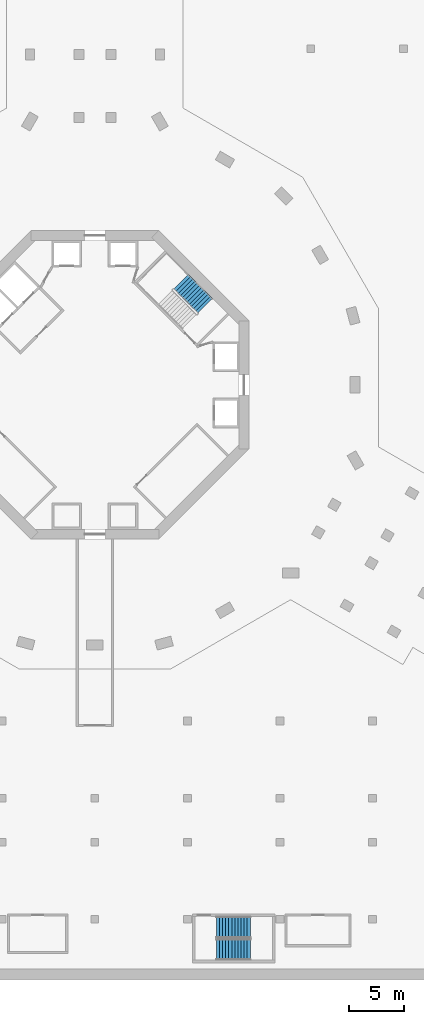
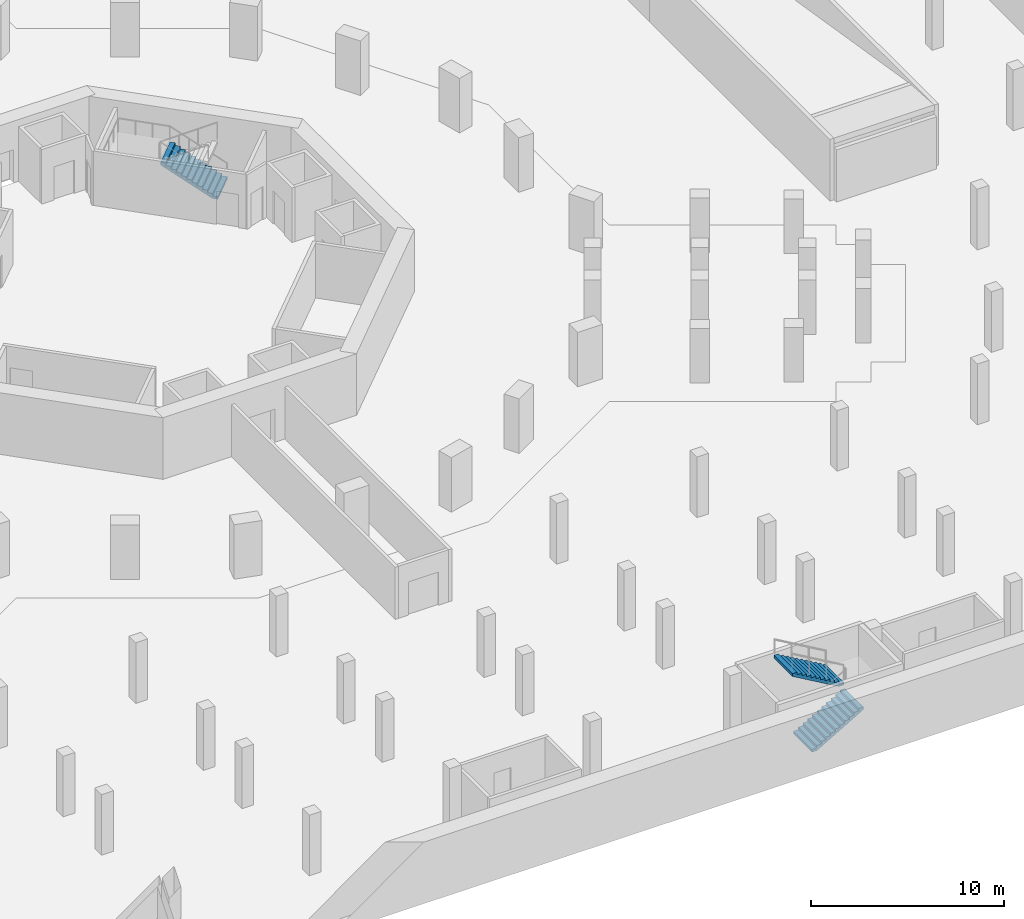
# One storey, part 14 of 25: 3 stair flights, 2 elements without a shape of their own.
"""IFC4 building model written with IfcOpenShell, lengths in metres."""

from ifc_helpers import new_model, si_unit, direction, frame, origin, place, context, subcontext, project, spatial, triangles, material, type_object, element, aggregate, save


model = new_model("IFC4")

# Units and contexts
model_context = context("Model", 3, precision=1e-05, world=origin(), true_north=direction((0.0, 1.0)))
body_context = subcontext(model_context, "Body", "Model", "MODEL_VIEW")
ifc_project = project(units=[si_unit("LENGTHUNIT", "METRE"), si_unit("AREAUNIT", "SQUARE_METRE"), si_unit("VOLUMEUNIT", "CUBIC_METRE"), si_unit("PLANEANGLEUNIT", "RADIAN"), si_unit("MASSUNIT", "GRAM", prefix="KILO")], contexts=[model_context])

# Site, building, storey
site_placement = place(None, origin())
site = spatial("IfcSite", under=ifc_project, at=site_placement, CompositionType="ELEMENT")
building_placement = place(site_placement, origin())
building = spatial("IfcBuilding", under=site, at=building_placement, Name="Verdalira Terraces Hotel", CompositionType="ELEMENT")
storey_placement = place(building_placement, frame((0.0, 0.0, -3.899902)))
storey = spatial("IfcBuildingStorey", under=building, at=storey_placement, Name="B1", CompositionType="ELEMENT", Elevation=-3.89990234375)

# Stair, stair flights
ifc_material_1 = material(Name="Concrete C40", Category="concrete")
stair_type_1 = type_object("IfcStairType", Name="Car park stair 24 risers", PredefinedType="HALF_TURN_STAIR", material=ifc_material_1)
stair_1_placement = place(storey_placement, origin())
stair_1 = element("IfcStair", 1, at=stair_1_placement, inside=storey, type_object=stair_type_1, Name="B1 Exit stair Basement stair 6", PredefinedType="HALF_TURN_STAIR")
ifc_material_2 = material(Name="Concrete C40", Category="concrete")
stair_flight_type_1 = type_object("IfcStairFlightType", Name="Car park stair flight 24 risers", PredefinedType="STRAIGHT", material=ifc_material_2)
stair_flight_1_placement = place(storey_placement, frame((11.024902, -51.237549, 0.0), z_axis=(0.0, 0.0, 1.0), x_axis=(1.0, 0.0, 0.0)))
stair_flight_1 = element("IfcStairFlight", 2, at=stair_flight_1_placement, type_object=stair_flight_type_1, Name="Basement stair 6 flight 1", NumberOfRisers=12, NumberOfTreads=11, PredefinedType="STRAIGHT", RiserHeight=0.1625, TreadLength=0.28, context=body_context, shape_type="Tessellation", body=[
    triangles([(0.0, 0.962524, 0.0), (0.298584, 0.962524, 0.0), (3.080078, 0.962524, 1.614258), (0.0, -0.962524, 0.0), (0.298584, -0.962524, 0.0), (3.080078, -0.962524, 1.614258), (3.080078, 0.962524, 1.787598), (2.800049, 0.962524, 1.787598), (3.080078, -0.962524, 1.787598), (2.800049, -0.962524, 1.787598), (2.800049, 0.962524, 1.625), (2.800049, -0.962524, 1.625), (2.52002, 0.962524, 1.625), (2.52002, -0.962524, 1.625), (2.52002, 0.962524, 1.462402), (2.52002, -0.962524, 1.462402), (2.23999, 0.962524, 1.462402), (2.23999, 0.962524, 1.300049), (2.23999, -0.962524, 1.462402), (2.23999, -0.962524, 1.300049), (1.959961, 0.962524, 1.300049), (1.959961, 0.962524, 1.137451), (1.959961, -0.962524, 1.300049), (1.959961, -0.962524, 1.137451), (1.679932, 0.962524, 1.137451), (1.679932, 0.962524, 0.975098), (1.679932, -0.962524, 1.137451), (1.679932, -0.962524, 0.975098), (1.399902, 0.962524, 0.975098), (1.399902, 0.962524, 0.8125), (1.399902, -0.962524, 0.975098), (1.399902, -0.962524, 0.8125), (1.120117, 0.962524, 0.8125), (1.120117, 0.962524, 0.649902), (1.120117, -0.962524, 0.8125), (1.120117, -0.962524, 0.649902), (0.840088, 0.962524, 0.649902), (0.840088, 0.962524, 0.487549), (0.840088, -0.962524, 0.649902), (0.840088, -0.962524, 0.487549), (0.560059, 0.962524, 0.487549), (0.560059, 0.962524, 0.324951), (0.560059, -0.962524, 0.487549), (0.560059, -0.962524, 0.324951), (0.280029, 0.962524, 0.324951), (0.280029, 0.962524, 0.162598), (0.280029, -0.962524, 0.324951), (0.280029, -0.962524, 0.162598), (0.0, 0.962524, 0.162598), (0.0, -0.962524, 0.162598), (0.0, -0.902367, 0.0), (0.0, -0.902367, 0.162598), (0.0, -0.842209, 0.0), (0.0, -0.842209, 0.162598), (0.0, -0.782051, 0.0), (0.0, -0.782051, 0.162598), (0.0, -0.721893, 0.0), (0.0, -0.721893, 0.162598), (0.0, -0.661736, 0.0), (0.0, -0.661736, 0.162598), (0.0, -0.601578, 0.0), (0.0, -0.601578, 0.162598), (0.0, -0.54142, 0.0), (0.0, -0.54142, 0.162598), (0.0, -0.481262, 0.0), (0.0, -0.481262, 0.162598), (0.0, -0.421104, 0.0), (0.0, -0.421104, 0.162598), (0.0, -0.360947, 0.0), (0.0, -0.360947, 0.162598), (0.0, -0.300789, 0.0), (0.0, -0.300789, 0.162598), (0.0, -0.240631, 0.0), (0.0, -0.240631, 0.162598), (0.0, -0.180473, 0.0), (0.0, -0.180473, 0.162598), (0.0, -0.120316, 0.0), (0.0, -0.120316, 0.162598), (0.0, -0.060158, 0.0), (0.0, -0.060158, 0.162598), (0.0, 0.0, 0.0), (0.0, 0.0, 0.162598), (0.0, 0.060158, 0.0), (0.0, 0.060158, 0.162598), (0.0, 0.120316, 0.0), (0.0, 0.120316, 0.162598), (0.0, 0.180473, 0.0), (0.0, 0.180473, 0.162598), (0.0, 0.240631, 0.0), (0.0, 0.240631, 0.162598), (0.0, 0.300789, 0.0), (0.0, 0.300789, 0.162598), (0.0, 0.360947, 0.0), (0.0, 0.360947, 0.162598), (0.0, 0.421104, 0.0), (0.0, 0.421104, 0.162598), (0.0, 0.481262, 0.0), (0.0, 0.481262, 0.162598), (0.0, 0.54142, 0.0), (0.0, 0.54142, 0.162598), (0.0, 0.601578, 0.0), (0.0, 0.601578, 0.162598), (0.0, 0.661736, 0.0), (0.0, 0.661736, 0.162598), (0.0, 0.721893, 0.0), (0.0, 0.721893, 0.162598), (0.0, 0.782051, 0.0), (0.0, 0.782051, 0.162598), (0.0, 0.842209, 0.0), (0.0, 0.842209, 0.162598), (0.0, 0.902367, 0.0), (0.0, 0.902367, 0.162598), (3.080078, -0.902367, 1.787598), (3.080078, -0.842209, 1.787598), (3.080078, -0.782051, 1.787598), (3.080078, -0.721893, 1.787598), (3.080078, -0.661736, 1.787598), (3.080078, -0.601578, 1.787598), (3.080078, -0.54142, 1.787598), (3.080078, -0.481262, 1.787598), (3.080078, -0.421104, 1.787598), (3.080078, -0.360947, 1.787598), (3.080078, -0.300789, 1.787598), (3.080078, -0.240631, 1.787598), (3.080078, -0.180473, 1.787598), (3.080078, -0.120316, 1.787598), (3.080078, -0.060158, 1.787598), (3.080078, 0.0, 1.787598), (3.080078, 0.060158, 1.787598), (3.080078, 0.120316, 1.787598), (3.080078, 0.180473, 1.787598), (3.080078, 0.240631, 1.787598), (3.080078, 0.300789, 1.787598), (3.080078, 0.360947, 1.787598), (3.080078, 0.421104, 1.787598), (3.080078, 0.481262, 1.787598), (3.080078, 0.54142, 1.787598), (3.080078, 0.601578, 1.787598), (3.080078, 0.661736, 1.787598), (3.080078, 0.721893, 1.787598), (3.080078, 0.782051, 1.787598), (3.080078, 0.842209, 1.787598), (3.080078, 0.902367, 1.787598), (3.080078, -0.902367, 1.614258), (3.080078, -0.842209, 1.614258), (3.080078, -0.782051, 1.614258), (3.080078, -0.721893, 1.614258), (3.080078, -0.661736, 1.614258), (3.080078, -0.601578, 1.614258), (3.080078, -0.54142, 1.614258), (3.080078, -0.481262, 1.614258), (3.080078, -0.421104, 1.614258), (3.080078, -0.360947, 1.614258), (3.080078, -0.300789, 1.614258), (3.080078, -0.240631, 1.614258), (3.080078, -0.180473, 1.614258), (3.080078, -0.120316, 1.614258), (3.080078, -0.060158, 1.614258), (3.080078, 0.0, 1.614258), (3.080078, 0.060158, 1.614258), (3.080078, 0.120316, 1.614258), (3.080078, 0.180473, 1.614258), (3.080078, 0.240631, 1.614258), (3.080078, 0.300789, 1.614258), (3.080078, 0.360947, 1.614258), (3.080078, 0.421104, 1.614258), (3.080078, 0.481262, 1.614258), (3.080078, 0.54142, 1.614258), (3.080078, 0.601578, 1.614258), (3.080078, 0.661736, 1.614258), (3.080078, 0.721893, 1.614258), (3.080078, 0.782051, 1.614258), (3.080078, 0.842209, 1.614258), (3.080078, 0.902367, 1.614258)], [[1, 3, 2], [4, 5, 6], [3, 8, 7], [6, 9, 10], [3, 11, 8], [6, 10, 12], [3, 13, 11], [6, 12, 14], [3, 15, 13], [6, 14, 16], [15, 18, 17], [16, 19, 20], [3, 18, 15], [6, 16, 20], [18, 22, 21], [20, 23, 24], [3, 22, 18], [6, 20, 24], [22, 26, 25], [24, 27, 28], [3, 26, 22], [6, 24, 28], [26, 30, 29], [28, 31, 32], [3, 30, 26], [6, 28, 32], [30, 34, 33], [32, 35, 36], [3, 34, 30], [6, 32, 36], [34, 38, 37], [36, 39, 40], [3, 38, 34], [6, 36, 40], [38, 42, 41], [40, 43, 44], [3, 42, 38], [6, 40, 44], [1, 42, 3], [4, 6, 44], [42, 46, 45], [44, 47, 48], [1, 46, 42], [4, 44, 48], [46, 1, 49], [48, 50, 4], [4, 52, 51], [4, 50, 52], [51, 54, 53], [51, 52, 54], [53, 56, 55], [53, 54, 56], [55, 58, 57], [55, 56, 58], [57, 60, 59], [57, 58, 60], [59, 62, 61], [59, 60, 62], [61, 64, 63], [61, 62, 64], [63, 66, 65], [63, 64, 66], [65, 68, 67], [65, 66, 68], [67, 70, 69], [67, 68, 70], [69, 72, 71], [69, 70, 72], [71, 74, 73], [71, 72, 74], [73, 76, 75], [73, 74, 76], [75, 78, 77], [75, 76, 78], [77, 80, 79], [77, 78, 80], [79, 82, 81], [79, 80, 82], [81, 84, 83], [81, 82, 84], [83, 86, 85], [83, 84, 86], [85, 88, 87], [85, 86, 88], [87, 90, 89], [87, 88, 90], [89, 92, 91], [89, 90, 92], [91, 94, 93], [91, 92, 94], [93, 96, 95], [93, 94, 96], [95, 98, 97], [95, 96, 98], [97, 100, 99], [97, 98, 100], [99, 102, 101], [99, 100, 102], [101, 104, 103], [101, 102, 104], [103, 106, 105], [103, 104, 106], [105, 108, 107], [105, 106, 108], [107, 110, 109], [107, 108, 110], [109, 112, 111], [109, 110, 112], [111, 49, 1], [111, 112, 49], [50, 48, 52], [52, 48, 54], [54, 48, 56], [56, 48, 58], [58, 48, 60], [60, 48, 62], [62, 48, 64], [64, 48, 66], [66, 48, 68], [68, 48, 70], [70, 48, 72], [72, 48, 74], [74, 48, 76], [76, 48, 78], [78, 48, 80], [80, 48, 82], [82, 48, 84], [84, 48, 86], [86, 48, 88], [88, 48, 90], [90, 48, 92], [92, 48, 94], [94, 48, 96], [96, 48, 98], [98, 48, 100], [100, 48, 102], [102, 48, 104], [104, 48, 106], [106, 48, 108], [108, 48, 110], [110, 48, 112], [112, 48, 49], [49, 48, 46], [48, 45, 46], [48, 47, 45], [47, 42, 45], [47, 44, 42], [44, 41, 42], [44, 43, 41], [43, 38, 41], [43, 40, 38], [40, 37, 38], [40, 39, 37], [39, 34, 37], [39, 36, 34], [36, 33, 34], [36, 35, 33], [35, 30, 33], [35, 32, 30], [32, 29, 30], [32, 31, 29], [31, 26, 29], [31, 28, 26], [28, 25, 26], [28, 27, 25], [27, 22, 25], [27, 24, 22], [24, 21, 22], [24, 23, 21], [23, 18, 21], [23, 20, 18], [20, 17, 18], [20, 19, 17], [19, 15, 17], [19, 16, 15], [16, 13, 15], [16, 14, 13], [14, 11, 13], [14, 12, 11], [12, 8, 11], [12, 10, 8], [9, 113, 10], [113, 114, 10], [114, 115, 10], [115, 116, 10], [116, 117, 10], [117, 118, 10], [118, 119, 10], [119, 120, 10], [120, 121, 10], [121, 122, 10], [122, 123, 10], [123, 124, 10], [124, 125, 10], [125, 126, 10], [126, 127, 10], [127, 128, 10], [128, 129, 10], [129, 130, 10], [130, 131, 10], [131, 132, 10], [132, 133, 10], [133, 134, 10], [134, 135, 10], [135, 136, 10], [136, 137, 10], [137, 138, 10], [138, 139, 10], [139, 140, 10], [140, 141, 10], [141, 142, 10], [142, 143, 10], [143, 7, 10], [7, 8, 10], [9, 144, 113], [9, 6, 144], [113, 145, 114], [113, 144, 145], [114, 146, 115], [114, 145, 146], [115, 147, 116], [115, 146, 147], [116, 148, 117], [116, 147, 148], [117, 149, 118], [117, 148, 149], [118, 150, 119], [118, 149, 150], [119, 151, 120], [119, 150, 151], [120, 152, 121], [120, 151, 152], [121, 153, 122], [121, 152, 153], [122, 154, 123], [122, 153, 154], [123, 155, 124], [123, 154, 155], [124, 156, 125], [124, 155, 156], [125, 157, 126], [125, 156, 157], [126, 158, 127], [126, 157, 158], [127, 159, 128], [127, 158, 159], [128, 160, 129], [128, 159, 160], [129, 161, 130], [129, 160, 161], [130, 162, 131], [130, 161, 162], [131, 163, 132], [131, 162, 163], [132, 164, 133], [132, 163, 164], [133, 165, 134], [133, 164, 165], [134, 166, 135], [134, 165, 166], [135, 167, 136], [135, 166, 167], [136, 168, 137], [136, 167, 168], [137, 169, 138], [137, 168, 169], [138, 170, 139], [138, 169, 170], [139, 171, 140], [139, 170, 171], [140, 172, 141], [140, 171, 172], [141, 173, 142], [141, 172, 173], [142, 174, 143], [142, 173, 174], [143, 3, 7], [143, 174, 3], [6, 5, 144], [144, 5, 145], [145, 5, 146], [146, 5, 147], [147, 5, 148], [148, 5, 149], [149, 5, 150], [150, 5, 151], [151, 5, 152], [152, 5, 153], [153, 5, 154], [154, 5, 155], [155, 5, 156], [156, 5, 157], [157, 5, 158], [158, 5, 159], [159, 5, 160], [160, 5, 161], [161, 5, 162], [162, 5, 163], [163, 5, 164], [164, 5, 165], [165, 5, 166], [166, 5, 167], [167, 5, 168], [168, 5, 169], [169, 5, 170], [170, 5, 171], [171, 5, 172], [172, 5, 173], [173, 5, 174], [174, 5, 3], [3, 5, 2], [4, 51, 5], [51, 53, 5], [53, 55, 5], [55, 57, 5], [57, 59, 5], [59, 61, 5], [61, 63, 5], [63, 65, 5], [65, 67, 5], [67, 69, 5], [69, 71, 5], [71, 73, 5], [73, 75, 5], [75, 77, 5], [77, 79, 5], [79, 81, 5], [81, 83, 5], [83, 85, 5], [85, 87, 5], [87, 89, 5], [89, 91, 5], [91, 93, 5], [93, 95, 5], [95, 97, 5], [97, 99, 5], [99, 101, 5], [101, 103, 5], [103, 105, 5], [105, 107, 5], [107, 109, 5], [109, 111, 5], [111, 1, 5], [1, 2, 5]], closed=True),
])
stair_flight_2_placement = place(storey_placement, frame((14.10498, -49.212402, 1.949951), z_axis=(0.0, 0.0, 1.0), x_axis=(-1.0, 0.0, 0.0)))
stair_flight_2 = element("IfcStairFlight", 3, at=stair_flight_2_placement, type_object=stair_flight_type_1, Name="Basement stair 6 flight 2", NumberOfRisers=12, NumberOfTreads=11, PredefinedType="STRAIGHT", RiserHeight=0.1625, TreadLength=0.28, context=body_context, shape_type="Tessellation", body=[
    triangles([(0.0, 0.962524, 0.0), (0.298584, 0.962524, 0.0), (3.080078, 0.962524, 1.614258), (0.0, -0.962524, 0.0), (0.298584, -0.962524, 0.0), (3.080078, -0.962524, 1.614258), (3.080078, 0.962524, 1.787598), (2.800049, 0.962524, 1.787598), (3.080078, -0.962524, 1.787598), (2.800049, -0.962524, 1.787598), (2.800049, 0.962524, 1.625), (2.800049, -0.962524, 1.625), (2.52002, 0.962524, 1.625), (2.52002, -0.962524, 1.625), (2.52002, 0.962524, 1.462402), (2.52002, -0.962524, 1.462402), (2.23999, 0.962524, 1.462402), (2.23999, 0.962524, 1.300049), (2.23999, -0.962524, 1.462402), (2.23999, -0.962524, 1.300049), (1.959961, 0.962524, 1.300049), (1.959961, 0.962524, 1.137451), (1.959961, -0.962524, 1.300049), (1.959961, -0.962524, 1.137451), (1.679932, 0.962524, 1.137451), (1.679932, 0.962524, 0.975098), (1.679932, -0.962524, 1.137451), (1.679932, -0.962524, 0.975098), (1.399902, 0.962524, 0.975098), (1.399902, 0.962524, 0.8125), (1.399902, -0.962524, 0.975098), (1.399902, -0.962524, 0.8125), (1.120117, 0.962524, 0.8125), (1.120117, 0.962524, 0.649902), (1.120117, -0.962524, 0.8125), (1.120117, -0.962524, 0.649902), (0.840088, 0.962524, 0.649902), (0.840088, 0.962524, 0.487549), (0.840088, -0.962524, 0.649902), (0.840088, -0.962524, 0.487549), (0.560059, 0.962524, 0.487549), (0.560059, 0.962524, 0.324951), (0.560059, -0.962524, 0.487549), (0.560059, -0.962524, 0.324951), (0.280029, 0.962524, 0.324951), (0.280029, 0.962524, 0.162598), (0.280029, -0.962524, 0.324951), (0.280029, -0.962524, 0.162598), (0.0, 0.962524, 0.162598), (0.0, -0.962524, 0.162598), (0.0, -0.902367, 0.0), (0.0, -0.902367, 0.162598), (0.0, -0.842209, 0.0), (0.0, -0.842209, 0.162598), (0.0, -0.782051, 0.0), (0.0, -0.782051, 0.162598), (0.0, -0.721893, 0.0), (0.0, -0.721893, 0.162598), (0.0, -0.661736, 0.0), (0.0, -0.661736, 0.162598), (0.0, -0.601578, 0.0), (0.0, -0.601578, 0.162598), (0.0, -0.54142, 0.0), (0.0, -0.54142, 0.162598), (0.0, -0.481262, 0.0), (0.0, -0.481262, 0.162598), (0.0, -0.421104, 0.0), (0.0, -0.421104, 0.162598), (0.0, -0.360947, 0.0), (0.0, -0.360947, 0.162598), (0.0, -0.300789, 0.0), (0.0, -0.300789, 0.162598), (0.0, -0.240631, 0.0), (0.0, -0.240631, 0.162598), (0.0, -0.180473, 0.0), (0.0, -0.180473, 0.162598), (0.0, -0.120316, 0.0), (0.0, -0.120316, 0.162598), (0.0, -0.060158, 0.0), (0.0, -0.060158, 0.162598), (0.0, 0.0, 0.0), (0.0, 0.0, 0.162598), (0.0, 0.060158, 0.0), (0.0, 0.060158, 0.162598), (0.0, 0.120316, 0.0), (0.0, 0.120316, 0.162598), (0.0, 0.180473, 0.0), (0.0, 0.180473, 0.162598), (0.0, 0.240631, 0.0), (0.0, 0.240631, 0.162598), (0.0, 0.300789, 0.0), (0.0, 0.300789, 0.162598), (0.0, 0.360947, 0.0), (0.0, 0.360947, 0.162598), (0.0, 0.421104, 0.0), (0.0, 0.421104, 0.162598), (0.0, 0.481262, 0.0), (0.0, 0.481262, 0.162598), (0.0, 0.54142, 0.0), (0.0, 0.54142, 0.162598), (0.0, 0.601578, 0.0), (0.0, 0.601578, 0.162598), (0.0, 0.661736, 0.0), (0.0, 0.661736, 0.162598), (0.0, 0.721893, 0.0), (0.0, 0.721893, 0.162598), (0.0, 0.782051, 0.0), (0.0, 0.782051, 0.162598), (0.0, 0.842209, 0.0), (0.0, 0.842209, 0.162598), (0.0, 0.902367, 0.0), (0.0, 0.902367, 0.162598), (3.080078, -0.902367, 1.787598), (3.080078, -0.842209, 1.787598), (3.080078, -0.782051, 1.787598), (3.080078, -0.721893, 1.787598), (3.080078, -0.661736, 1.787598), (3.080078, -0.601578, 1.787598), (3.080078, -0.54142, 1.787598), (3.080078, -0.481262, 1.787598), (3.080078, -0.421104, 1.787598), (3.080078, -0.360947, 1.787598), (3.080078, -0.300789, 1.787598), (3.080078, -0.240631, 1.787598), (3.080078, -0.180473, 1.787598), (3.080078, -0.120316, 1.787598), (3.080078, -0.060158, 1.787598), (3.080078, 0.0, 1.787598), (3.080078, 0.060158, 1.787598), (3.080078, 0.120316, 1.787598), (3.080078, 0.180473, 1.787598), (3.080078, 0.240631, 1.787598), (3.080078, 0.300789, 1.787598), (3.080078, 0.360947, 1.787598), (3.080078, 0.421104, 1.787598), (3.080078, 0.481262, 1.787598), (3.080078, 0.54142, 1.787598), (3.080078, 0.601578, 1.787598), (3.080078, 0.661736, 1.787598), (3.080078, 0.721893, 1.787598), (3.080078, 0.782051, 1.787598), (3.080078, 0.842209, 1.787598), (3.080078, 0.902367, 1.787598), (3.080078, -0.902367, 1.614258), (3.080078, -0.842209, 1.614258), (3.080078, -0.782051, 1.614258), (3.080078, -0.721893, 1.614258), (3.080078, -0.661736, 1.614258), (3.080078, -0.601578, 1.614258), (3.080078, -0.54142, 1.614258), (3.080078, -0.481262, 1.614258), (3.080078, -0.421104, 1.614258), (3.080078, -0.360947, 1.614258), (3.080078, -0.300789, 1.614258), (3.080078, -0.240631, 1.614258), (3.080078, -0.180473, 1.614258), (3.080078, -0.120316, 1.614258), (3.080078, -0.060158, 1.614258), (3.080078, 0.0, 1.614258), (3.080078, 0.060158, 1.614258), (3.080078, 0.120316, 1.614258), (3.080078, 0.180473, 1.614258), (3.080078, 0.240631, 1.614258), (3.080078, 0.300789, 1.614258), (3.080078, 0.360947, 1.614258), (3.080078, 0.421104, 1.614258), (3.080078, 0.481262, 1.614258), (3.080078, 0.54142, 1.614258), (3.080078, 0.601578, 1.614258), (3.080078, 0.661736, 1.614258), (3.080078, 0.721893, 1.614258), (3.080078, 0.782051, 1.614258), (3.080078, 0.842209, 1.614258), (3.080078, 0.902367, 1.614258)], [[1, 3, 2], [4, 5, 6], [3, 8, 7], [6, 9, 10], [3, 11, 8], [6, 10, 12], [3, 13, 11], [6, 12, 14], [3, 15, 13], [6, 14, 16], [15, 18, 17], [16, 19, 20], [3, 18, 15], [6, 16, 20], [18, 22, 21], [20, 23, 24], [3, 22, 18], [6, 20, 24], [22, 26, 25], [24, 27, 28], [3, 26, 22], [6, 24, 28], [26, 30, 29], [28, 31, 32], [3, 30, 26], [6, 28, 32], [30, 34, 33], [32, 35, 36], [3, 34, 30], [6, 32, 36], [34, 38, 37], [36, 39, 40], [3, 38, 34], [6, 36, 40], [38, 42, 41], [40, 43, 44], [3, 42, 38], [6, 40, 44], [1, 42, 3], [4, 6, 44], [42, 46, 45], [44, 47, 48], [1, 46, 42], [4, 44, 48], [46, 1, 49], [48, 50, 4], [4, 52, 51], [4, 50, 52], [51, 54, 53], [51, 52, 54], [53, 56, 55], [53, 54, 56], [55, 58, 57], [55, 56, 58], [57, 60, 59], [57, 58, 60], [59, 62, 61], [59, 60, 62], [61, 64, 63], [61, 62, 64], [63, 66, 65], [63, 64, 66], [65, 68, 67], [65, 66, 68], [67, 70, 69], [67, 68, 70], [69, 72, 71], [69, 70, 72], [71, 74, 73], [71, 72, 74], [73, 76, 75], [73, 74, 76], [75, 78, 77], [75, 76, 78], [77, 80, 79], [77, 78, 80], [79, 82, 81], [79, 80, 82], [81, 84, 83], [81, 82, 84], [83, 86, 85], [83, 84, 86], [85, 88, 87], [85, 86, 88], [87, 90, 89], [87, 88, 90], [89, 92, 91], [89, 90, 92], [91, 94, 93], [91, 92, 94], [93, 96, 95], [93, 94, 96], [95, 98, 97], [95, 96, 98], [97, 100, 99], [97, 98, 100], [99, 102, 101], [99, 100, 102], [101, 104, 103], [101, 102, 104], [103, 106, 105], [103, 104, 106], [105, 108, 107], [105, 106, 108], [107, 110, 109], [107, 108, 110], [109, 112, 111], [109, 110, 112], [111, 49, 1], [111, 112, 49], [50, 48, 52], [52, 48, 54], [54, 48, 56], [56, 48, 58], [58, 48, 60], [60, 48, 62], [62, 48, 64], [64, 48, 66], [66, 48, 68], [68, 48, 70], [70, 48, 72], [72, 48, 74], [74, 48, 76], [76, 48, 78], [78, 48, 80], [80, 48, 82], [82, 48, 84], [84, 48, 86], [86, 48, 88], [88, 48, 90], [90, 48, 92], [92, 48, 94], [94, 48, 96], [96, 48, 98], [98, 48, 100], [100, 48, 102], [102, 48, 104], [104, 48, 106], [106, 48, 108], [108, 48, 110], [110, 48, 112], [112, 48, 49], [49, 48, 46], [48, 45, 46], [48, 47, 45], [47, 42, 45], [47, 44, 42], [44, 41, 42], [44, 43, 41], [43, 38, 41], [43, 40, 38], [40, 37, 38], [40, 39, 37], [39, 34, 37], [39, 36, 34], [36, 33, 34], [36, 35, 33], [35, 30, 33], [35, 32, 30], [32, 29, 30], [32, 31, 29], [31, 26, 29], [31, 28, 26], [28, 25, 26], [28, 27, 25], [27, 22, 25], [27, 24, 22], [24, 21, 22], [24, 23, 21], [23, 18, 21], [23, 20, 18], [20, 17, 18], [20, 19, 17], [19, 15, 17], [19, 16, 15], [16, 13, 15], [16, 14, 13], [14, 11, 13], [14, 12, 11], [12, 8, 11], [12, 10, 8], [9, 113, 10], [113, 114, 10], [114, 115, 10], [115, 116, 10], [116, 117, 10], [117, 118, 10], [118, 119, 10], [119, 120, 10], [120, 121, 10], [121, 122, 10], [122, 123, 10], [123, 124, 10], [124, 125, 10], [125, 126, 10], [126, 127, 10], [127, 128, 10], [128, 129, 10], [129, 130, 10], [130, 131, 10], [131, 132, 10], [132, 133, 10], [133, 134, 10], [134, 135, 10], [135, 136, 10], [136, 137, 10], [137, 138, 10], [138, 139, 10], [139, 140, 10], [140, 141, 10], [141, 142, 10], [142, 143, 10], [143, 7, 10], [7, 8, 10], [9, 144, 113], [9, 6, 144], [113, 145, 114], [113, 144, 145], [114, 146, 115], [114, 145, 146], [115, 147, 116], [115, 146, 147], [116, 148, 117], [116, 147, 148], [117, 149, 118], [117, 148, 149], [118, 150, 119], [118, 149, 150], [119, 151, 120], [119, 150, 151], [120, 152, 121], [120, 151, 152], [121, 153, 122], [121, 152, 153], [122, 154, 123], [122, 153, 154], [123, 155, 124], [123, 154, 155], [124, 156, 125], [124, 155, 156], [125, 157, 126], [125, 156, 157], [126, 158, 127], [126, 157, 158], [127, 159, 128], [127, 158, 159], [128, 160, 129], [128, 159, 160], [129, 161, 130], [129, 160, 161], [130, 162, 131], [130, 161, 162], [131, 163, 132], [131, 162, 163], [132, 164, 133], [132, 163, 164], [133, 165, 134], [133, 164, 165], [134, 166, 135], [134, 165, 166], [135, 167, 136], [135, 166, 167], [136, 168, 137], [136, 167, 168], [137, 169, 138], [137, 168, 169], [138, 170, 139], [138, 169, 170], [139, 171, 140], [139, 170, 171], [140, 172, 141], [140, 171, 172], [141, 173, 142], [141, 172, 173], [142, 174, 143], [142, 173, 174], [143, 3, 7], [143, 174, 3], [6, 5, 144], [144, 5, 145], [145, 5, 146], [146, 5, 147], [147, 5, 148], [148, 5, 149], [149, 5, 150], [150, 5, 151], [151, 5, 152], [152, 5, 153], [153, 5, 154], [154, 5, 155], [155, 5, 156], [156, 5, 157], [157, 5, 158], [158, 5, 159], [159, 5, 160], [160, 5, 161], [161, 5, 162], [162, 5, 163], [163, 5, 164], [164, 5, 165], [165, 5, 166], [166, 5, 167], [167, 5, 168], [168, 5, 169], [169, 5, 170], [170, 5, 171], [171, 5, 172], [172, 5, 173], [173, 5, 174], [174, 5, 3], [3, 5, 2], [4, 51, 5], [51, 53, 5], [53, 55, 5], [55, 57, 5], [57, 59, 5], [59, 61, 5], [61, 63, 5], [63, 65, 5], [65, 67, 5], [67, 69, 5], [69, 71, 5], [71, 73, 5], [73, 75, 5], [75, 77, 5], [77, 79, 5], [79, 81, 5], [81, 83, 5], [83, 85, 5], [85, 87, 5], [87, 89, 5], [89, 91, 5], [91, 93, 5], [93, 95, 5], [95, 97, 5], [97, 99, 5], [99, 101, 5], [101, 103, 5], [103, 105, 5], [105, 107, 5], [107, 109, 5], [109, 111, 5], [111, 1, 5], [1, 2, 5]], closed=True),
])
aggregate(stair_1, [stair_flight_1, stair_flight_2])

# Stair, stair flight
ifc_material_3 = material(Name="Concrete C40", Category="concrete")
stair_type_2 = type_object("IfcStairType", Name="Core stair 24 risers 1900 mm wide", PredefinedType="HALF_TURN_STAIR", material=ifc_material_3)
stair_2_placement = place(storey_placement, origin())
stair_2 = element("IfcStair", 4, at=stair_2_placement, inside=storey, type_object=stair_type_2, Name="B1 Exit stair ST1", PredefinedType="HALF_TURN_STAIR")
ifc_material_4 = material(Name="Concrete C40", Category="concrete")
stair_flight_type_2 = type_object("IfcStairFlightType", Name="Core stair flight 24 risers 1900 mm wide", PredefinedType="STRAIGHT", material=ifc_material_4)
stair_flight_3_placement = place(storey_placement, frame((10.005615, 7.177246, 0.0), z_axis=(0.0, 0.0, 1.0), x_axis=(-0.707106781, 0.707106781, 0.0)))
stair_flight_3 = element("IfcStairFlight", 5, at=stair_flight_3_placement, type_object=stair_flight_type_2, Name="ST1 flight 1", NumberOfRisers=12, NumberOfTreads=11, PredefinedType="STRAIGHT", RiserHeight=0.1625, TreadLength=0.28, context=body_context, shape_type="Tessellation", body=[
    triangles([(0.0, 0.949951, 0.0), (0.298584, 0.949951, 0.0), (3.080078, 0.949951, 1.614258), (0.0, -0.949951, 0.0), (0.298584, -0.949951, 0.0), (3.080078, -0.949951, 1.614258), (3.080078, 0.949951, 1.787598), (2.800049, 0.949951, 1.787598), (3.080078, -0.949951, 1.787598), (2.800049, -0.949951, 1.787598), (2.800049, 0.949951, 1.625), (2.800049, -0.949951, 1.625), (2.52002, 0.949951, 1.625), (2.52002, -0.949951, 1.625), (2.52002, 0.949951, 1.462402), (2.52002, -0.949951, 1.462402), (2.23999, 0.949951, 1.462402), (2.23999, 0.949951, 1.300049), (2.23999, -0.949951, 1.462402), (2.23999, -0.949951, 1.300049), (1.959961, 0.949951, 1.300049), (1.959961, 0.949951, 1.137451), (1.959961, -0.949951, 1.300049), (1.959961, -0.949951, 1.137451), (1.679932, 0.949951, 1.137451), (1.679932, 0.949951, 0.975098), (1.679932, -0.949951, 1.137451), (1.679932, -0.949951, 0.975098), (1.399902, 0.949951, 0.975098), (1.399902, 0.949951, 0.8125), (1.399902, -0.949951, 0.975098), (1.399902, -0.949951, 0.8125), (1.120117, 0.949951, 0.8125), (1.120117, 0.949951, 0.649902), (1.120117, -0.949951, 0.8125), (1.120117, -0.949951, 0.649902), (0.840088, 0.949951, 0.649902), (0.840088, 0.949951, 0.487549), (0.840088, -0.949951, 0.649902), (0.840088, -0.949951, 0.487549), (0.560059, 0.949951, 0.487549), (0.560059, 0.949951, 0.324951), (0.560059, -0.949951, 0.487549), (0.560059, -0.949951, 0.324951), (0.280029, 0.949951, 0.324951), (0.280029, 0.949951, 0.162598), (0.280029, -0.949951, 0.324951), (0.280029, -0.949951, 0.162598), (0.0, 0.949951, 0.162598), (0.0, -0.949951, 0.162598), (0.0, -0.890579, 0.0), (0.0, -0.890579, 0.162598), (0.0, -0.831207, 0.0), (0.0, -0.831207, 0.162598), (0.0, -0.771835, 0.0), (0.0, -0.771835, 0.162598), (0.0, -0.712463, 0.0), (0.0, -0.712463, 0.162598), (0.0, -0.653091, 0.0), (0.0, -0.653091, 0.162598), (0.0, -0.593719, 0.0), (0.0, -0.593719, 0.162598), (0.0, -0.534348, 0.0), (0.0, -0.534348, 0.162598), (0.0, -0.474976, 0.0), (0.0, -0.474976, 0.162598), (0.0, -0.415604, 0.0), (0.0, -0.415604, 0.162598), (0.0, -0.356232, 0.0), (0.0, -0.356232, 0.162598), (0.0, -0.29686, 0.0), (0.0, -0.29686, 0.162598), (0.0, -0.237488, 0.0), (0.0, -0.237488, 0.162598), (0.0, -0.178116, 0.0), (0.0, -0.178116, 0.162598), (0.0, -0.118744, 0.0), (0.0, -0.118744, 0.162598), (0.0, -0.059372, 0.0), (0.0, -0.059372, 0.162598), (0.0, 0.0, 0.0), (0.0, 0.0, 0.162598), (0.0, 0.059372, 0.0), (0.0, 0.059372, 0.162598), (0.0, 0.118744, 0.0), (0.0, 0.118744, 0.162598), (0.0, 0.178116, 0.0), (0.0, 0.178116, 0.162598), (0.0, 0.237488, 0.0), (0.0, 0.237488, 0.162598), (0.0, 0.29686, 0.0), (0.0, 0.29686, 0.162598), (0.0, 0.356232, 0.0), (0.0, 0.356232, 0.162598), (0.0, 0.415604, 0.0), (0.0, 0.415604, 0.162598), (0.0, 0.474976, 0.0), (0.0, 0.474976, 0.162598), (0.0, 0.534348, 0.0), (0.0, 0.534348, 0.162598), (0.0, 0.593719, 0.0), (0.0, 0.593719, 0.162598), (0.0, 0.653091, 0.0), (0.0, 0.653091, 0.162598), (0.0, 0.712463, 0.0), (0.0, 0.712463, 0.162598), (0.0, 0.771835, 0.0), (0.0, 0.771835, 0.162598), (0.0, 0.831207, 0.0), (0.0, 0.831207, 0.162598), (0.0, 0.890579, 0.0), (0.0, 0.890579, 0.162598), (3.080078, -0.890579, 1.787598), (3.080078, -0.831207, 1.787598), (3.080078, -0.771835, 1.787598), (3.080078, -0.712463, 1.787598), (3.080078, -0.653091, 1.787598), (3.080078, -0.593719, 1.787598), (3.080078, -0.534348, 1.787598), (3.080078, -0.474976, 1.787598), (3.080078, -0.415604, 1.787598), (3.080078, -0.356232, 1.787598), (3.080078, -0.29686, 1.787598), (3.080078, -0.237488, 1.787598), (3.080078, -0.178116, 1.787598), (3.080078, -0.118744, 1.787598), (3.080078, -0.059372, 1.787598), (3.080078, 0.0, 1.787598), (3.080078, 0.059372, 1.787598), (3.080078, 0.118744, 1.787598), (3.080078, 0.178116, 1.787598), (3.080078, 0.237488, 1.787598), (3.080078, 0.29686, 1.787598), (3.080078, 0.356232, 1.787598), (3.080078, 0.415604, 1.787598), (3.080078, 0.474976, 1.787598), (3.080078, 0.534348, 1.787598), (3.080078, 0.593719, 1.787598), (3.080078, 0.653091, 1.787598), (3.080078, 0.712463, 1.787598), (3.080078, 0.771835, 1.787598), (3.080078, 0.831207, 1.787598), (3.080078, 0.890579, 1.787598), (3.080078, -0.890579, 1.614258), (3.080078, -0.831207, 1.614258), (3.080078, -0.771835, 1.614258), (3.080078, -0.712463, 1.614258), (3.080078, -0.653091, 1.614258), (3.080078, -0.593719, 1.614258), (3.080078, -0.534348, 1.614258), (3.080078, -0.474976, 1.614258), (3.080078, -0.415604, 1.614258), (3.080078, -0.356232, 1.614258), (3.080078, -0.29686, 1.614258), (3.080078, -0.237488, 1.614258), (3.080078, -0.178116, 1.614258), (3.080078, -0.118744, 1.614258), (3.080078, -0.059372, 1.614258), (3.080078, 0.0, 1.614258), (3.080078, 0.059372, 1.614258), (3.080078, 0.118744, 1.614258), (3.080078, 0.178116, 1.614258), (3.080078, 0.237488, 1.614258), (3.080078, 0.29686, 1.614258), (3.080078, 0.356232, 1.614258), (3.080078, 0.415604, 1.614258), (3.080078, 0.474976, 1.614258), (3.080078, 0.534348, 1.614258), (3.080078, 0.593719, 1.614258), (3.080078, 0.653091, 1.614258), (3.080078, 0.712463, 1.614258), (3.080078, 0.771835, 1.614258), (3.080078, 0.831207, 1.614258), (3.080078, 0.890579, 1.614258)], [[1, 3, 2], [4, 5, 6], [3, 8, 7], [6, 9, 10], [3, 11, 8], [6, 10, 12], [3, 13, 11], [6, 12, 14], [3, 15, 13], [6, 14, 16], [15, 18, 17], [16, 19, 20], [3, 18, 15], [6, 16, 20], [18, 22, 21], [20, 23, 24], [3, 22, 18], [6, 20, 24], [22, 26, 25], [24, 27, 28], [3, 26, 22], [6, 24, 28], [26, 30, 29], [28, 31, 32], [3, 30, 26], [6, 28, 32], [30, 34, 33], [32, 35, 36], [3, 34, 30], [6, 32, 36], [34, 38, 37], [36, 39, 40], [3, 38, 34], [6, 36, 40], [38, 42, 41], [40, 43, 44], [3, 42, 38], [6, 40, 44], [1, 42, 3], [4, 6, 44], [42, 46, 45], [44, 47, 48], [1, 46, 42], [4, 44, 48], [46, 1, 49], [48, 50, 4], [4, 52, 51], [4, 50, 52], [51, 54, 53], [51, 52, 54], [53, 56, 55], [53, 54, 56], [55, 58, 57], [55, 56, 58], [57, 60, 59], [57, 58, 60], [59, 62, 61], [59, 60, 62], [61, 64, 63], [61, 62, 64], [63, 66, 65], [63, 64, 66], [65, 68, 67], [65, 66, 68], [67, 70, 69], [67, 68, 70], [69, 72, 71], [69, 70, 72], [71, 74, 73], [71, 72, 74], [73, 76, 75], [73, 74, 76], [75, 78, 77], [75, 76, 78], [77, 80, 79], [77, 78, 80], [79, 82, 81], [79, 80, 82], [81, 84, 83], [81, 82, 84], [83, 86, 85], [83, 84, 86], [85, 88, 87], [85, 86, 88], [87, 90, 89], [87, 88, 90], [89, 92, 91], [89, 90, 92], [91, 94, 93], [91, 92, 94], [93, 96, 95], [93, 94, 96], [95, 98, 97], [95, 96, 98], [97, 100, 99], [97, 98, 100], [99, 102, 101], [99, 100, 102], [101, 104, 103], [101, 102, 104], [103, 106, 105], [103, 104, 106], [105, 108, 107], [105, 106, 108], [107, 110, 109], [107, 108, 110], [109, 112, 111], [109, 110, 112], [111, 49, 1], [111, 112, 49], [50, 48, 52], [52, 48, 54], [54, 48, 56], [56, 48, 58], [58, 48, 60], [60, 48, 62], [62, 48, 64], [64, 48, 66], [66, 48, 68], [68, 48, 70], [70, 48, 72], [72, 48, 74], [74, 48, 76], [76, 48, 78], [78, 48, 80], [80, 48, 82], [82, 48, 84], [84, 48, 86], [86, 48, 88], [88, 48, 90], [90, 48, 92], [92, 48, 94], [94, 48, 96], [96, 48, 98], [98, 48, 100], [100, 48, 102], [102, 48, 104], [104, 48, 106], [106, 48, 108], [108, 48, 110], [110, 48, 112], [112, 48, 49], [49, 48, 46], [48, 45, 46], [48, 47, 45], [47, 42, 45], [47, 44, 42], [44, 41, 42], [44, 43, 41], [43, 38, 41], [43, 40, 38], [40, 37, 38], [40, 39, 37], [39, 34, 37], [39, 36, 34], [36, 33, 34], [36, 35, 33], [35, 30, 33], [35, 32, 30], [32, 29, 30], [32, 31, 29], [31, 26, 29], [31, 28, 26], [28, 25, 26], [28, 27, 25], [27, 22, 25], [27, 24, 22], [24, 21, 22], [24, 23, 21], [23, 18, 21], [23, 20, 18], [20, 17, 18], [20, 19, 17], [19, 15, 17], [19, 16, 15], [16, 13, 15], [16, 14, 13], [14, 11, 13], [14, 12, 11], [12, 8, 11], [12, 10, 8], [9, 113, 10], [113, 114, 10], [114, 115, 10], [115, 116, 10], [116, 117, 10], [117, 118, 10], [118, 119, 10], [119, 120, 10], [120, 121, 10], [121, 122, 10], [122, 123, 10], [123, 124, 10], [124, 125, 10], [125, 126, 10], [126, 127, 10], [127, 128, 10], [128, 129, 10], [129, 130, 10], [130, 131, 10], [131, 132, 10], [132, 133, 10], [133, 134, 10], [134, 135, 10], [135, 136, 10], [136, 137, 10], [137, 138, 10], [138, 139, 10], [139, 140, 10], [140, 141, 10], [141, 142, 10], [142, 143, 10], [143, 7, 10], [7, 8, 10], [9, 144, 113], [9, 6, 144], [113, 145, 114], [113, 144, 145], [114, 146, 115], [114, 145, 146], [115, 147, 116], [115, 146, 147], [116, 148, 117], [116, 147, 148], [117, 149, 118], [117, 148, 149], [118, 150, 119], [118, 149, 150], [119, 151, 120], [119, 150, 151], [120, 152, 121], [120, 151, 152], [121, 153, 122], [121, 152, 153], [122, 154, 123], [122, 153, 154], [123, 155, 124], [123, 154, 155], [124, 156, 125], [124, 155, 156], [125, 157, 126], [125, 156, 157], [126, 158, 127], [126, 157, 158], [127, 159, 128], [127, 158, 159], [128, 160, 129], [128, 159, 160], [129, 161, 130], [129, 160, 161], [130, 162, 131], [130, 161, 162], [131, 163, 132], [131, 162, 163], [132, 164, 133], [132, 163, 164], [133, 165, 134], [133, 164, 165], [134, 166, 135], [134, 165, 166], [135, 167, 136], [135, 166, 167], [136, 168, 137], [136, 167, 168], [137, 169, 138], [137, 168, 169], [138, 170, 139], [138, 169, 170], [139, 171, 140], [139, 170, 171], [140, 172, 141], [140, 171, 172], [141, 173, 142], [141, 172, 173], [142, 174, 143], [142, 173, 174], [143, 3, 7], [143, 174, 3], [6, 5, 144], [144, 5, 145], [145, 5, 146], [146, 5, 147], [147, 5, 148], [148, 5, 149], [149, 5, 150], [150, 5, 151], [151, 5, 152], [152, 5, 153], [153, 5, 154], [154, 5, 155], [155, 5, 156], [156, 5, 157], [157, 5, 158], [158, 5, 159], [159, 5, 160], [160, 5, 161], [161, 5, 162], [162, 5, 163], [163, 5, 164], [164, 5, 165], [165, 5, 166], [166, 5, 167], [167, 5, 168], [168, 5, 169], [169, 5, 170], [170, 5, 171], [171, 5, 172], [172, 5, 173], [173, 5, 174], [174, 5, 3], [3, 5, 2], [4, 51, 5], [51, 53, 5], [53, 55, 5], [55, 57, 5], [57, 59, 5], [59, 61, 5], [61, 63, 5], [63, 65, 5], [65, 67, 5], [67, 69, 5], [69, 71, 5], [71, 73, 5], [73, 75, 5], [75, 77, 5], [77, 79, 5], [79, 81, 5], [81, 83, 5], [83, 85, 5], [85, 87, 5], [87, 89, 5], [89, 91, 5], [91, 93, 5], [93, 95, 5], [95, 97, 5], [97, 99, 5], [99, 101, 5], [101, 103, 5], [103, 105, 5], [105, 107, 5], [107, 109, 5], [109, 111, 5], [111, 1, 5], [1, 2, 5]], closed=True),
])
aggregate(stair_2, [stair_flight_3])

save(model, "model.ifc")
